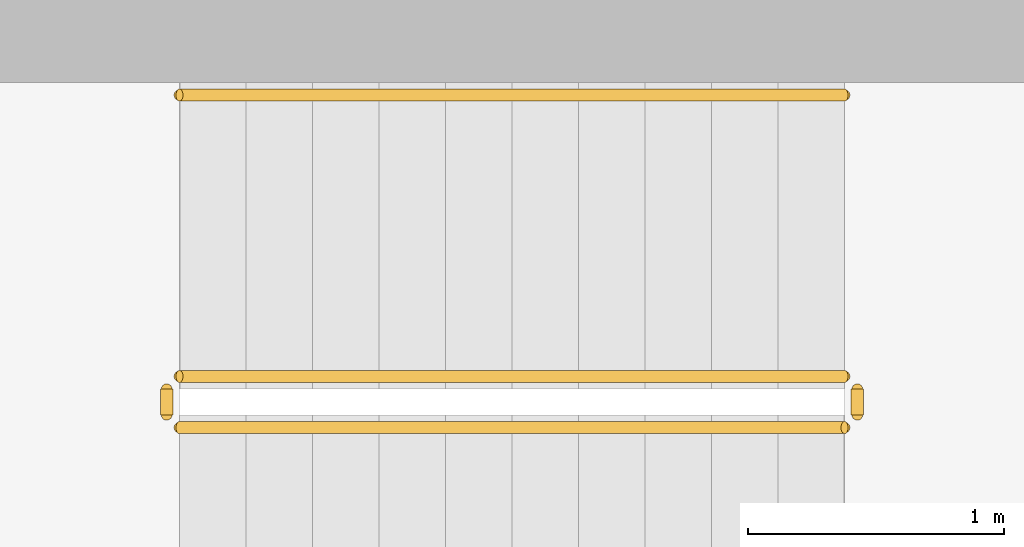
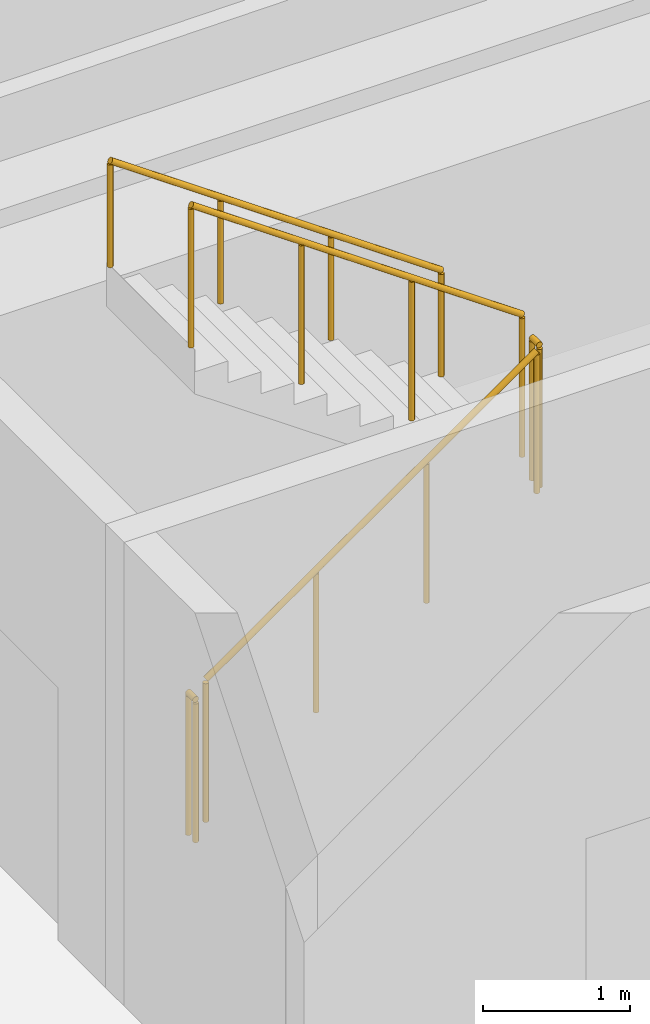
# One storey, part 19 of 23: 5 railings.
"""IFC4 building model written with IfcOpenShell, lengths in metres."""

import ifcopenshell
import ifcopenshell.guid

model = None  # the IFC model being written
_history = None  # IfcOwnerHistory: only IFC2X3 demands one
_inside = {}  # id of a spatial element -> (the spatial element, [elements in it])
_under = {}  # id of a project, library or spatial element -> (it, [spatial elements below it])
_declared = {}  # id of a project -> (the project, [libraries it declares])
_typed = {}  # id of a type object -> (the type object, [elements of that type])
_made_of = {}  # id of a material, layer set ... -> (it, [elements and type objects made of it])


def new_model(schema):
    """Start an empty IFC model of exactly this schema.

    Asked for "IFC4X3", IfcOpenShell would pick the latest addendum, in which some entities
    have other attributes; the version numbers below select the first issue.
    IFC2X3 requires an IfcOwnerHistory on every rooted entity: one is made here for all.
    """
    global model, _history
    if schema == "IFC4X3":
        model = ifcopenshell.file(schema_version=(4, 3, 0, 0))
    else:
        model = ifcopenshell.file(schema=schema)
    _inside.clear()
    _under.clear()
    _declared.clear()
    _typed.clear()
    _made_of.clear()
    _history = None
    if model.schema == "IFC2X3":
        org = make("IfcOrganization", Name="unknown")
        user = make(
            "IfcPersonAndOrganization",
            ThePerson=make("IfcPerson", FamilyName="unknown"),
            TheOrganization=org,
        )
        app = make(
            "IfcApplication",
            ApplicationDeveloper=org,
            Version="unknown",
            ApplicationFullName="unknown",
            ApplicationIdentifier="unknown",
        )
        _history = make(
            "IfcOwnerHistory",
            OwningUser=user,
            OwningApplication=app,
            ChangeAction="ADDED",
            CreationDate=0,
        )
    return model


def make(cls, **values):
    """One entity of the class cls with the attributes given. An attribute that is None is left unset."""
    return model.create_entity(
        cls, **{name: value for name, value in values.items() if value is not None}
    )


def rooted(cls, **values):
    """An entity with a GlobalId (a new one), such as an element, a storey or a relation."""
    return make(cls, GlobalId=ifcopenshell.guid.new(), OwnerHistory=_history, **values)


def si_unit(unit_type, name, prefix=None):
    """IfcSIUnit, for example si_unit("LENGTHUNIT", "METRE", prefix="MILLI")."""
    return make("IfcSIUnit", UnitType=unit_type, Prefix=prefix, Name=name)


def assignment(units):
    """IfcUnitAssignment: the units of a project."""
    return None if units is None else make("IfcUnitAssignment", Units=units)


def point(xyz):
    """IfcCartesianPoint."""
    return None if xyz is None else make("IfcCartesianPoint", Coordinates=xyz)


def direction(xyz):
    """IfcDirection."""
    return None if xyz is None else make("IfcDirection", DirectionRatios=xyz)


def frame(location, z_axis=None, x_axis=None):
    """IfcAxis2Placement3D, a coordinate frame: its origin and axes. An axis left out is left unset."""
    return make(
        "IfcAxis2Placement3D",
        Location=point(location),
        Axis=direction(z_axis),
        RefDirection=direction(x_axis),
    )


def frame_2d(location, x_axis=None):
    """IfcAxis2Placement2D, a coordinate frame in the plane: its origin and x axis."""
    return make(
        "IfcAxis2Placement2D", Location=point(location), RefDirection=direction(x_axis)
    )


def origin():
    """The frame at (0, 0, 0) with its axes left unset."""
    return frame((0.0, 0.0, 0.0))


def origin_2d():
    """The frame at (0, 0) in the plane with its x axis left unset."""
    return frame_2d((0.0, 0.0))


def place(relative_to, where):
    """IfcLocalPlacement: puts the frame where relative to a parent placement (None: the world)."""
    return make(
        "IfcLocalPlacement", PlacementRelTo=relative_to, RelativePlacement=where
    )


def context(
    kind, dimensions, precision=None, world=None, true_north=None, identifier=None
):
    """IfcGeometricRepresentationContext, for example the 3D "Model" context."""
    return make(
        "IfcGeometricRepresentationContext",
        ContextIdentifier=identifier,
        ContextType=kind,
        CoordinateSpaceDimension=dimensions,
        Precision=precision,
        WorldCoordinateSystem=world,
        TrueNorth=true_north,
    )


def subcontext(parent, identifier, kind, view, scale=None):
    """IfcGeometricRepresentationSubContext, for example "Body" below "Model"."""
    return make(
        "IfcGeometricRepresentationSubContext",
        ContextIdentifier=identifier,
        ContextType=kind,
        ParentContext=parent,
        TargetScale=scale,
        TargetView=view,
    )


def project(units=None, contexts=None):
    """IfcProject with its units and contexts."""
    return rooted(
        "IfcProject",
        Name="project",
        RepresentationContexts=contexts,
        UnitsInContext=assignment(units),
    )


def spatial(cls, under=None, at=None, **own):
    """A site, building, storey or space (cls), placed at a placement, below another one or the project."""
    s = rooted(cls, ObjectPlacement=at, **own)
    if under is not None:
        _under.setdefault(under.id(), (under, []))[1].append(s)
    return s


def profile(cls, at=None, kind="AREA", **sizes):
    """A parametric profile (cls). Its sizes go by their IFC names, for example OverallWidth=200.0."""
    return make(cls, ProfileType=kind, Position=at, **sizes)


def circle(**sizes):
    """IfcCircleProfileDef."""
    return profile("IfcCircleProfileDef", **sizes)


def extrude(swept, where, along, depth):
    """IfcExtrudedAreaSolid: the profile swept, set in the frame where, extruded along a direction by depth."""
    return make(
        "IfcExtrudedAreaSolid",
        SweptArea=swept,
        Position=where,
        ExtrudedDirection=direction(along),
        Depth=depth,
    )


def shape(context_of_items, identifier, shape_type, items):
    """IfcShapeRepresentation: the items that make up one representation, for example the "Body"."""
    return make(
        "IfcShapeRepresentation",
        ContextOfItems=context_of_items,
        RepresentationIdentifier=identifier,
        RepresentationType=shape_type,
        Items=items,
    )


def material(Name=None, Category=None):
    """IfcMaterial."""
    return make("IfcMaterial", Name=Name, Category=Category)


def made_of(thing, what):
    """Note that an element or type object is made of a material, layer set ...; save() writes the relation."""
    if what is not None:
        _made_of.setdefault(what.id(), (what, []))[1].append(thing)
    return thing


def type_object(cls, material=None, **own):
    """A type object (cls), such as IfcWallType, which elements share."""
    return made_of(rooted(cls, **own), material)


def element(
    cls,
    number,
    at=None,
    inside=None,
    cuts=None,
    type_object=None,
    material=None,
    context=None,
    identifier="Body",
    shape_type=None,
    held_by="IfcProductDefinitionShape",
    body=None,
    shapes=None,
    **own,
):
    """One element of the class cls, such as IfcWall. Its Tag is "e" and its number.

    at: its placement. inside: the storey or other place that contains it. cuts: it is an
    opening in that element (IfcRelVoidsElement). A single representation is given by context,
    identifier, shape_type and body (its items); several are given by shapes. held_by: the class
    of the entity that holds the representations. save() writes the other relations.
    """
    e = rooted(cls, Tag="e%d" % number, ObjectPlacement=at, **own)
    if body is not None:
        shapes = [shape(context, identifier, shape_type, body)]
    if shapes is not None:
        e.Representation = make(held_by, Representations=shapes)
    if inside is not None:
        _inside.setdefault(inside.id(), (inside, []))[1].append(e)
    if cuts is not None:
        rooted(
            "IfcRelVoidsElement", RelatingBuildingElement=cuts, RelatedOpeningElement=e
        )
    if type_object is not None:
        _typed.setdefault(type_object.id(), (type_object, []))[1].append(e)
    return made_of(e, material)


def aggregate(whole, parts):
    """IfcRelAggregates: a whole, such as a stair, and the parts it consists of."""
    return rooted("IfcRelAggregates", RelatingObject=whole, RelatedObjects=parts)


def save(model, path):
    """Write the relations noted so far, then the file.

    IfcRelAggregates (storeys below a building ...), IfcRelContainedInSpatialStructure (elements
    in a storey), IfcRelDefinesByType, IfcRelAssociatesMaterial and IfcRelDeclares: one each for
    every whole, place, type object, material and project.
    """
    for whole, parts in _under.values():
        aggregate(whole, parts)
    for where, things in _inside.values():
        rooted(
            "IfcRelContainedInSpatialStructure",
            RelatedElements=things,
            RelatingStructure=where,
        )
    for kind, things in _typed.values():
        rooted("IfcRelDefinesByType", RelatedObjects=things, RelatingType=kind)
    for what, things in _made_of.values():
        rooted("IfcRelAssociatesMaterial", RelatedObjects=things, RelatingMaterial=what)
    for by, libraries in _declared.values():
        rooted("IfcRelDeclares", RelatingContext=by, RelatedDefinitions=libraries)
    model.write(path)


model = new_model("IFC4")

# Units and contexts
model_context = context("Model", 3, precision=1e-05, world=origin(), true_north=direction((0.0, 1.0)))
body_context = subcontext(model_context, "Body", "Model", "MODEL_VIEW")
ifc_project = project(units=[si_unit("LENGTHUNIT", "METRE"), si_unit("AREAUNIT", "SQUARE_METRE"), si_unit("VOLUMEUNIT", "CUBIC_METRE"), si_unit("PLANEANGLEUNIT", "RADIAN"), si_unit("MASSUNIT", "GRAM", prefix="KILO")], contexts=[model_context])

# Site, building, storey
site_placement = place(None, origin())
site = spatial("IfcSite", under=ifc_project, at=site_placement, CompositionType="ELEMENT")
building_placement = place(site_placement, origin())
building = spatial("IfcBuilding", under=site, at=building_placement, Name="Sahrelin Media Tower", CompositionType="ELEMENT")
storey_placement = place(building_placement, frame((0.0, 0.0, 169.60009765625)))
storey = spatial("IfcBuildingStorey", under=building, at=storey_placement, Name="L35", CompositionType="ELEMENT", Elevation=169.60009765625)

# Railings
ifc_material = material(Name="Steel S355", Category="steel")
railing_type_1 = type_object("IfcRailingType", Name="Stair guard 1200", PredefinedType="GUARDRAIL", material=ifc_material)
railing_1_placement = place(storey_placement, frame((-7.675048828125, 5.25, 0.181640625)))
element("IfcRailing", 1, at=railing_1_placement, inside=storey, type_object=railing_type_1, Name="L35 ST1 stair guard 1", PredefinedType="GUARDRAIL", context=body_context, shape_type="SweptSolid", body=[
    extrude(circle(Radius=0.02392578125, at=origin_2d()), frame((0.0, 0.0, 1.17578125), z_axis=(0.819484887739, 0.0, 0.573100792852), x_axis=(0.0, 1.0, 0.0)), (0.0, 0.0, 1.0), 3.1728515625),
    extrude(circle(Radius=0.02099609375, at=origin_2d()), origin(), (0.0, 0.0, 1.0), 1.15185546875),
    extrude(circle(Radius=0.02099609375, at=origin_2d()), frame((0.86669921875, 0.0, 0.606201171875)), (0.0, 0.0, 1.0), 1.15185546875),
    extrude(circle(Radius=0.02099609375, at=origin_2d()), frame((1.7333984375, 0.0, 1.212158203125)), (0.0, 0.0, 1.0), 1.15185546875),
    extrude(circle(Radius=0.02099609375, at=origin_2d()), frame((2.60009765625, 0.0, 1.818359375)), (0.0, 0.0, 1.0), 1.15185546875),
])
railing_2_placement = place(storey_placement, frame((-5.02490234375, 5.300048828125, 2.0)))
element("IfcRailing", 2, at=railing_2_placement, inside=storey, type_object=railing_type_1, Name="L35 ST1 stair guard 2", PredefinedType="GUARDRAIL", context=body_context, shape_type="SweptSolid", body=[
    extrude(circle(Radius=0.02392578125, at=origin_2d()), frame((0.0, 0.0, 1.17578125), z_axis=(0.0, 1.0, 0.0), x_axis=(-1.0, 0.0, 0.0)), (0.0, 0.0, 1.0), 0.099853515625),
    extrude(circle(Radius=0.02099609375, at=origin_2d()), origin(), (0.0, 0.0, 1.0), 1.15185546875),
    extrude(circle(Radius=0.02099609375, at=origin_2d()), frame((0.0, 0.099853515625, 0.0)), (0.0, 0.0, 1.0), 1.15185546875),
])
railing_3_placement = place(storey_placement, frame((-5.074951171875, 5.449951171875, 2.181640625)))
element("IfcRailing", 3, at=railing_3_placement, inside=storey, type_object=railing_type_1, Name="L35 ST1 stair guard 3", PredefinedType="GUARDRAIL", context=body_context, shape_type="SweptSolid", body=[
    extrude(circle(Radius=0.02392578125, at=origin_2d()), frame((0.0, 0.0, 1.17578125), z_axis=(-0.819484887739, 0.0, 0.573100792852), x_axis=(0.0, -1.0, 0.0)), (0.0, 0.0, 1.0), 3.1728515625),
    extrude(circle(Radius=0.02099609375, at=origin_2d()), origin(), (0.0, 0.0, 1.0), 1.15185546875),
    extrude(circle(Radius=0.02099609375, at=origin_2d()), frame((-0.86669921875, 0.0, 0.606201171875)), (0.0, 0.0, 1.0), 1.15185546875),
    extrude(circle(Radius=0.02099609375, at=origin_2d()), frame((-1.7333984375, 0.0, 1.212158203125)), (0.0, 0.0, 1.0), 1.15185546875),
    extrude(circle(Radius=0.02099609375, at=origin_2d()), frame((-2.60009765625, 0.0, 1.818359375)), (0.0, 0.0, 1.0), 1.15185546875),
])
railing_4_placement = place(storey_placement, frame((-7.72509765625, 5.300048828125, 0.0)))
element("IfcRailing", 4, at=railing_4_placement, inside=storey, type_object=railing_type_1, Name="L35 ST1 stair guard 4", PredefinedType="GUARDRAIL", context=body_context, shape_type="SweptSolid", body=[
    extrude(circle(Radius=0.02392578125, at=origin_2d()), frame((0.0, 0.0, 1.17578125), z_axis=(0.0, 1.0, 0.0), x_axis=(-1.0, 0.0, 0.0)), (0.0, 0.0, 1.0), 0.099853515625),
    extrude(circle(Radius=0.02099609375, at=origin_2d()), origin(), (0.0, 0.0, 1.0), 1.15185546875),
    extrude(circle(Radius=0.02099609375, at=origin_2d()), frame((0.0, 0.099853515625, 0.0)), (0.0, 0.0, 1.0), 1.15185546875),
])
railing_type_2 = type_object("IfcRailingType", Name="Stair handrail 900", PredefinedType="HANDRAIL", material=ifc_material)
railing_5_placement = place(storey_placement, frame((-5.074951171875, 6.550048828125, 2.181640625)))
element("IfcRailing", 5, at=railing_5_placement, inside=storey, type_object=railing_type_2, Name="L35 ST1 stair handrail 2", PredefinedType="HANDRAIL", context=body_context, shape_type="SweptSolid", body=[
    extrude(circle(Radius=0.02392578125, at=origin_2d()), frame((0.0, 0.0, 0.8759765625), z_axis=(-0.819484887739, 0.0, 0.573100792852), x_axis=(0.0, -1.0, 0.0)), (0.0, 0.0, 1.0), 3.1728515625),
    extrude(circle(Radius=0.02099609375, at=origin_2d()), origin(), (0.0, 0.0, 1.0), 0.851806640625),
    extrude(circle(Radius=0.02099609375, at=origin_2d()), frame((-0.86669921875, 0.0, 0.606201171875)), (0.0, 0.0, 1.0), 0.851806640625),
    extrude(circle(Radius=0.02099609375, at=origin_2d()), frame((-1.7333984375, 0.0, 1.212158203125)), (0.0, 0.0, 1.0), 0.851806640625),
    extrude(circle(Radius=0.02099609375, at=origin_2d()), frame((-2.60009765625, 0.0, 1.818359375)), (0.0, 0.0, 1.0), 0.851806640625),
])

save(model, "model.ifc")
